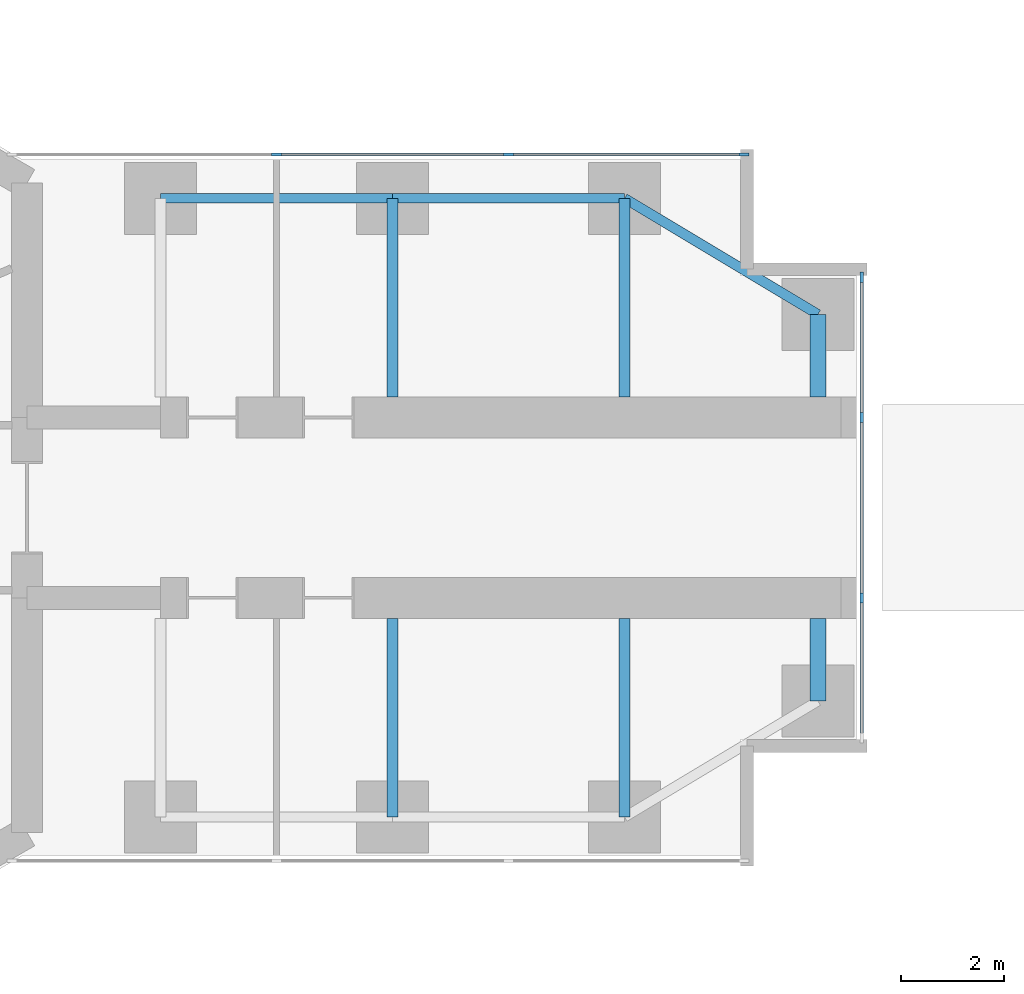
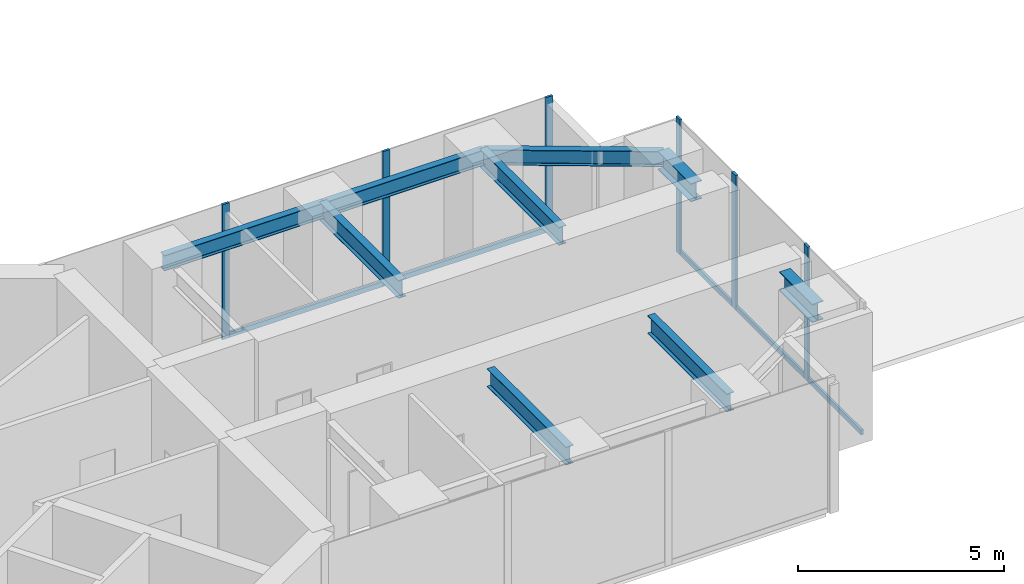
# One storey, part 7 of 22: 11 members, 9 beams, 2 elements without a shape of their own.
"""IFC4 building model written with IfcOpenShell, lengths in metres."""

from ifc_helpers import new_model, si_unit, direction, frame, origin, origin_2d, place, context, subcontext, project, spatial, rectangle, i_section, extrude, material, material_profile, profile_set, type_object, element, aggregate, save


model = new_model("IFC4")

# Units and contexts
model_context = context("Model", 3, precision=1e-05, world=origin(), true_north=direction((0.0, 1.0)))
body_context = subcontext(model_context, "Body", "Model", "MODEL_VIEW")
ifc_project = project(units=[si_unit("LENGTHUNIT", "METRE"), si_unit("AREAUNIT", "SQUARE_METRE"), si_unit("VOLUMEUNIT", "CUBIC_METRE"), si_unit("PLANEANGLEUNIT", "RADIAN"), si_unit("MASSUNIT", "GRAM", prefix="KILO")], contexts=[model_context])

# Site, building, storey
site_placement = place(None, origin())
site = spatial("IfcSite", under=ifc_project, at=site_placement, CompositionType="ELEMENT")
building_placement = place(site_placement, origin())
building = spatial("IfcBuilding", under=site, at=building_placement, Name="Upepo Twin Towers", CompositionType="ELEMENT")
storey_placement = place(building_placement, frame((0.0, 0.0, 97.5)))
storey = spatial("IfcBuildingStorey", under=building, at=storey_placement, Name="L23", CompositionType="ELEMENT", Elevation=97.5)

# Beams
ifc_material_1 = material(Name="Steel S355", Category="steel")
ifc_material_profile_1 = material_profile(ifc_material_1, i_section(OverallWidth=0.1904296875, OverallDepth=0.45703125, WebThickness=0.009033203125, FlangeThickness=0.014404296875, FilletRadius=0.01025390625, at=origin_2d()), Name="UB 457x191x74")
ifc_profile_set_1 = profile_set([ifc_material_profile_1], Name="Steel S355")
beam_type_1 = type_object("IfcBeamType", Name="Beam UB 457x191x74", PredefinedType="BEAM", material=ifc_profile_set_1)
for number, where, z_axis, x_axis, name in (
    (1, (13.5, 6.0, 3.571533203125), (1.0, 0.0, 0.0), (0.0, 1.0, 0.0), "T1 edge beam AL 13.5-18.0"),
    (2, (18.0, 6.0, 3.571533203125), (1.0, 0.0, 0.0), (0.0, 1.0, 0.0), "T1 edge beam AL 18.0-22.5"),
):
    element("IfcBeam", number, at=place(storey_placement, frame(where, z_axis=z_axis, x_axis=x_axis)), inside=storey, type_object=beam_type_1, Name=name, PredefinedType="BEAM", context=body_context, shape_type="SweptSolid", body=[
        extrude(i_section(OverallWidth=0.1904296875, OverallDepth=0.45703125, WebThickness=0.009033203125, FlangeThickness=0.014404296875, FilletRadius=0.01025390625, at=origin_2d()), origin(), (0.0, 0.0, 1.0), 4.5),
    ])
beam_placement = place(storey_placement, frame((22.5, 6.0, 3.571533203125), z_axis=(0.857492925713, -0.514495755428, 0.0), x_axis=(0.514495755428, 0.857492925713, 0.0)))
element("IfcBeam", 3, at=beam_placement, inside=storey, type_object=beam_type_1, Name="T1 nose edge beam AL", PredefinedType="BEAM", context=body_context, shape_type="SweptSolid", body=[
    extrude(i_section(OverallWidth=0.1904296875, OverallDepth=0.45703125, WebThickness=0.009033203125, FlangeThickness=0.014404296875, FilletRadius=0.01025390625, at=origin_2d()), origin(), (0.0, 0.0, 1.0), 4.373291015625),
])
ifc_material_2 = material(Name="Steel S355", Category="steel")
ifc_material_profile_2 = material_profile(ifc_material_2, i_section(OverallWidth=0.209228515625, OverallDepth=0.533203125, WebThickness=0.010009765625, FlangeThickness=0.015625, FilletRadius=0.0126953125, at=origin_2d()), Name="UB 533x210x92")
ifc_profile_set_2 = profile_set([ifc_material_profile_2], Name="Steel S355")
beam_type_2 = type_object("IfcBeamType", Name="Beam UB 533x210x92", PredefinedType="BEAM", material=ifc_profile_set_2)
for number, where, z_axis, x_axis, name in (
    (4, (18.0, 6.0, 3.533447265625), (0.0, -1.0, 0.0), (1.0, 0.0, 0.0), "T1 girder AL at 18.0"),
    (5, (22.5, 6.0, 3.533447265625), (0.0, -1.0, 0.0), (1.0, 0.0, 0.0), "T1 girder AL at 22.5"),
    (6, (18.0, -6.0, 3.533447265625), (0.0, 1.0, 0.0), (-1.0, 0.0, 0.0), "T1 girder AR at 18.0"),
    (7, (22.5, -6.0, 3.533447265625), (0.0, 1.0, 0.0), (-1.0, 0.0, 0.0), "T1 girder AR at 22.5"),
):
    element("IfcBeam", number, at=place(storey_placement, frame(where, z_axis=z_axis, x_axis=x_axis)), inside=storey, type_object=beam_type_2, Name=name, PredefinedType="BEAM", context=body_context, shape_type="SweptSolid", body=[
        extrude(i_section(OverallWidth=0.209228515625, OverallDepth=0.533203125, WebThickness=0.010009765625, FlangeThickness=0.015625, FilletRadius=0.0126953125, at=origin_2d()), origin(), (0.0, 0.0, 1.0), 3.85009765625),
    ])
ifc_material_3 = material(Name="Steel S355", Category="steel")
ifc_material_profile_3 = material_profile(ifc_material_3, i_section(OverallWidth=0.31201171875, OverallDepth=0.54345703125, WebThickness=0.0126953125, FlangeThickness=0.020263671875, FilletRadius=0.0126953125, at=origin_2d()), Name="UB 533x312x150")
ifc_profile_set_3 = profile_set([ifc_material_profile_3], Name="Steel S355")
beam_type_3 = type_object("IfcBeamType", Name="Beam UB 533x312x150", PredefinedType="BEAM", material=ifc_profile_set_3)
for number, where, z_axis, x_axis, name in (
    (8, (26.25, 3.75, 3.5283203125), (0.0, -1.0, 0.0), (1.0, 0.0, 0.0), "T1 nose beam AL"),
    (9, (26.25, -3.75, 3.5283203125), (0.0, 1.0, 0.0), (-1.0, 0.0, 0.0), "T1 nose beam AR"),
):
    element("IfcBeam", number, at=place(storey_placement, frame(where, z_axis=z_axis, x_axis=x_axis)), inside=storey, type_object=beam_type_3, Name=name, PredefinedType="BEAM", context=body_context, shape_type="SweptSolid", body=[
        extrude(i_section(OverallWidth=0.31201171875, OverallDepth=0.54345703125, WebThickness=0.0126953125, FlangeThickness=0.020263671875, FilletRadius=0.0126953125, at=origin_2d()), origin(), (0.0, 0.0, 1.0), 1.60009765625),
    ])

# Curtain wall, members
ifc_material_4 = material(Name="Aluminium and fritted glass", Category="aluminium")
curtain_wall_type = type_object("IfcCurtainWallType", Name="Tower curtain wall TW2, fritted glass", PredefinedType="NOTDEFINED", material=ifc_material_4)
curtain_wall_1_placement = place(storey_placement, origin())
curtain_wall_1 = element("IfcCurtainWall", 10, at=curtain_wall_1_placement, inside=storey, type_object=curtain_wall_type, Name="T1 L23 wing A flank L curtain wall", PredefinedType="NOTDEFINED")
ifc_material_5 = material(Name="Aluminium mullion", Category="aluminium")
ifc_material_profile_4 = material_profile(ifc_material_5, rectangle(XDim=0.06494140625, YDim=0.199951171875, at=origin_2d()), Name="MULLION 65x200")
ifc_profile_set_4 = profile_set([ifc_material_profile_4], Name="Aluminium mullion")
member_type_1 = type_object("IfcMemberType", Name="Mullion 65x200 TW2", PredefinedType="MULLION", material=ifc_profile_set_4)
member_1_placement = place(storey_placement, frame((15.75, 6.85009765625, 0.0), z_axis=(0.0, 0.0, 1.0), x_axis=(0.0, 1.0, 0.0)))
member_1 = element("IfcMember", 11, at=member_1_placement, type_object=member_type_1, Name="T1 L23 wing A flank L curtain wall mullion 2", PredefinedType="MULLION", context=body_context, shape_type="SweptSolid", body=[
    extrude(rectangle(XDim=0.06494140625, YDim=0.199951171875, at=origin_2d()), origin(), (0.0, 0.0, 1.0), 4.0),
])
member_2_placement = place(storey_placement, frame((20.25, 6.85009765625, 0.0), z_axis=(0.0, 0.0, 1.0), x_axis=(0.0, 1.0, 0.0)))
member_2 = element("IfcMember", 12, at=member_2_placement, type_object=member_type_1, Name="T1 L23 wing A flank L curtain wall mullion 3", PredefinedType="MULLION", context=body_context, shape_type="SweptSolid", body=[
    extrude(rectangle(XDim=0.06494140625, YDim=0.199951171875, at=origin_2d()), origin(), (0.0, 0.0, 1.0), 4.0),
])
member_3_placement = place(storey_placement, frame((24.8173828125, 6.85009765625, 0.0), z_axis=(0.0, 0.0, 1.0), x_axis=(0.0, 1.0, 0.0)))
member_3 = element("IfcMember", 13, at=member_3_placement, type_object=member_type_1, Name="T1 L23 wing A flank L curtain wall mullion 4", PredefinedType="MULLION", context=body_context, shape_type="SweptSolid", body=[
    extrude(rectangle(XDim=0.06494140625, YDim=0.199951171875, at=origin_2d()), origin(), (0.0, 0.0, 1.0), 4.0),
])

curtain_wall_2_placement = place(storey_placement, origin())
curtain_wall_2 = element("IfcCurtainWall", 14, at=curtain_wall_2_placement, inside=storey, type_object=curtain_wall_type, Name="T1 L23 wing A nose curtain wall", PredefinedType="NOTDEFINED")
member_4_placement = place(storey_placement, frame((27.10009765625, -1.75, 0.0), z_axis=(0.0, 0.0, 1.0), x_axis=(-1.0, 0.0, 0.0)))
member_4 = element("IfcMember", 15, at=member_4_placement, type_object=member_type_1, Name="T1 L23 wing A nose curtain wall mullion 2", PredefinedType="MULLION", context=body_context, shape_type="SweptSolid", body=[
    extrude(rectangle(XDim=0.06494140625, YDim=0.199951171875, at=origin_2d()), origin(), (0.0, 0.0, 1.0), 4.0),
])
member_5_placement = place(storey_placement, frame((27.10009765625, 1.75, 0.0), z_axis=(0.0, 0.0, 1.0), x_axis=(-1.0, 0.0, 0.0)))
member_5 = element("IfcMember", 16, at=member_5_placement, type_object=member_type_1, Name="T1 L23 wing A nose curtain wall mullion 3", PredefinedType="MULLION", context=body_context, shape_type="SweptSolid", body=[
    extrude(rectangle(XDim=0.06494140625, YDim=0.199951171875, at=origin_2d()), origin(), (0.0, 0.0, 1.0), 4.0),
])
member_6_placement = place(storey_placement, frame((27.10009765625, 4.467529296875, 0.0), z_axis=(0.0, 0.0, 1.0), x_axis=(-1.0, 0.0, 0.0)))
member_6 = element("IfcMember", 17, at=member_6_placement, type_object=member_type_1, Name="T1 L23 wing A nose curtain wall mullion 4", PredefinedType="MULLION", context=body_context, shape_type="SweptSolid", body=[
    extrude(rectangle(XDim=0.06494140625, YDim=0.199951171875, at=origin_2d()), origin(), (0.0, 0.0, 1.0), 4.0),
])

# Member
ifc_material_6 = material(Name="Aluminium transom", Category="aluminium")
ifc_material_profile_5 = material_profile(ifc_material_6, rectangle(XDim=0.06494140625, YDim=0.14990234375, at=origin_2d()), Name="TRANSOM 65x150")
ifc_profile_set_5 = profile_set([ifc_material_profile_5], Name="Aluminium transom")
member_type_2 = type_object("IfcMemberType", Name="Transom 65x150 TW2", PredefinedType="USERDEFINED", material=ifc_profile_set_5)
member_7_placement = place(storey_placement, frame((15.782470703125, 6.85009765625, 0.074951171875), z_axis=(1.0, 0.0, 0.0), x_axis=(0.0, 1.0, 0.0)))
member_7 = element("IfcMember", 18, at=member_7_placement, type_object=member_type_2, Name="T1 L23 wing A flank L curtain wall transom 2", ObjectType="TRANSOM", PredefinedType="USERDEFINED", context=body_context, shape_type="SweptSolid", body=[
    extrude(rectangle(XDim=0.06494140625, YDim=0.14990234375, at=origin_2d()), origin(), (0.0, 0.0, 1.0), 4.43505859375),
])

member_8_placement = place(storey_placement, frame((20.282470703125, 6.85009765625, 0.074951171875), z_axis=(1.0, 0.0, 0.0), x_axis=(0.0, 1.0, 0.0)))
member_8 = element("IfcMember", 19, at=member_8_placement, type_object=member_type_2, Name="T1 L23 wing A flank L curtain wall transom 3", ObjectType="TRANSOM", PredefinedType="USERDEFINED", context=body_context, shape_type="SweptSolid", body=[
    extrude(rectangle(XDim=0.06494140625, YDim=0.14990234375, at=origin_2d()), origin(), (0.0, 0.0, 1.0), 4.50244140625),
])

aggregate(curtain_wall_1, [member_1, member_2, member_3, member_7, member_8])

member_9_placement = place(storey_placement, frame((27.10009765625, -4.43505859375, 0.074951171875), z_axis=(0.0, 1.0, 0.0), x_axis=(-1.0, 0.0, 0.0)))
member_9 = element("IfcMember", 20, at=member_9_placement, type_object=member_type_2, Name="T1 L23 wing A nose curtain wall transom 1", ObjectType="TRANSOM", PredefinedType="USERDEFINED", context=body_context, shape_type="SweptSolid", body=[
    extrude(rectangle(XDim=0.06494140625, YDim=0.14990234375, at=origin_2d()), origin(), (0.0, 0.0, 1.0), 2.652587890625),
])

member_10_placement = place(storey_placement, frame((27.10009765625, -1.717529296875, 0.074951171875), z_axis=(0.0, 1.0, 0.0), x_axis=(-1.0, 0.0, 0.0)))
member_10 = element("IfcMember", 21, at=member_10_placement, type_object=member_type_2, Name="T1 L23 wing A nose curtain wall transom 2", ObjectType="TRANSOM", PredefinedType="USERDEFINED", context=body_context, shape_type="SweptSolid", body=[
    extrude(rectangle(XDim=0.06494140625, YDim=0.14990234375, at=origin_2d()), origin(), (0.0, 0.0, 1.0), 3.43505859375),
])

member_11_placement = place(storey_placement, frame((27.10009765625, 1.782470703125, 0.074951171875), z_axis=(0.0, 1.0, 0.0), x_axis=(-1.0, 0.0, 0.0)))
member_11 = element("IfcMember", 22, at=member_11_placement, type_object=member_type_2, Name="T1 L23 wing A nose curtain wall transom 3", ObjectType="TRANSOM", PredefinedType="USERDEFINED", context=body_context, shape_type="SweptSolid", body=[
    extrude(rectangle(XDim=0.06494140625, YDim=0.14990234375, at=origin_2d()), origin(), (0.0, 0.0, 1.0), 2.652587890625),
])

aggregate(curtain_wall_2, [member_4, member_5, member_6, member_9, member_10, member_11])

save(model, "model.ifc")
